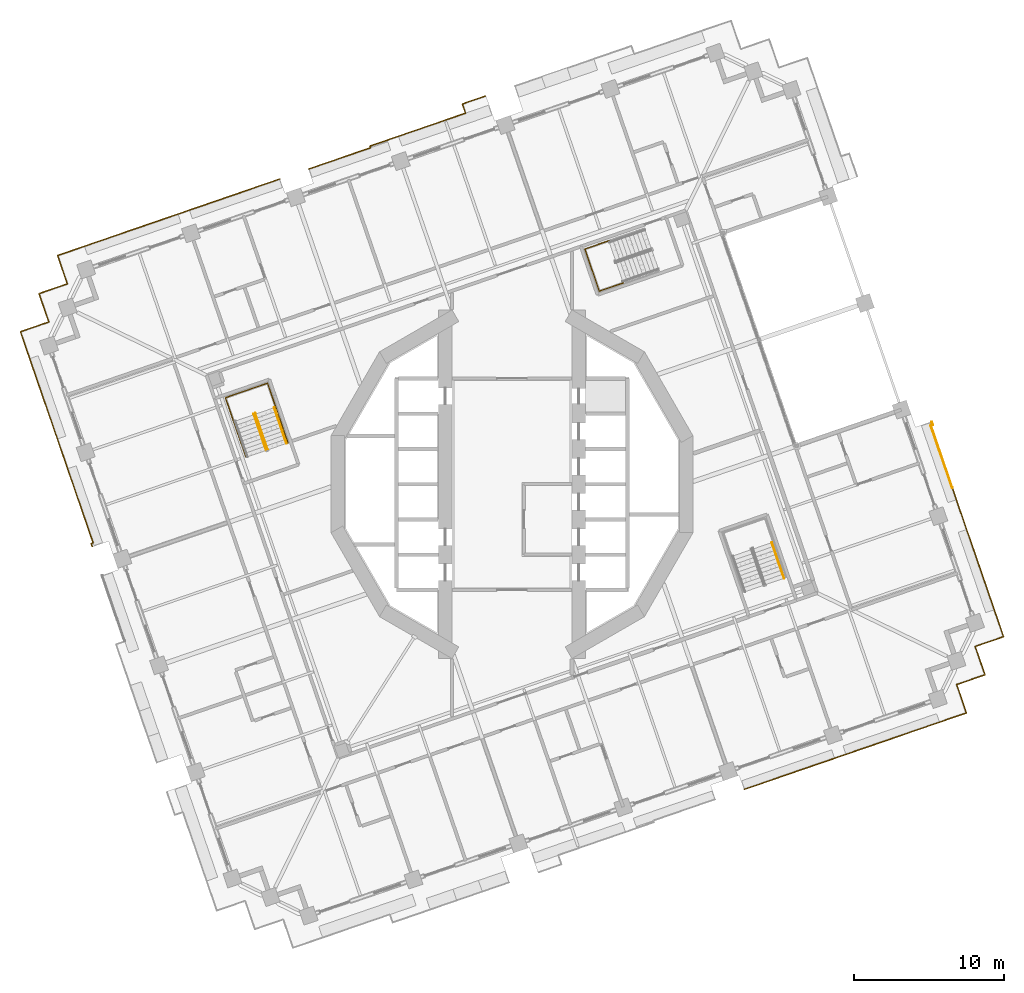
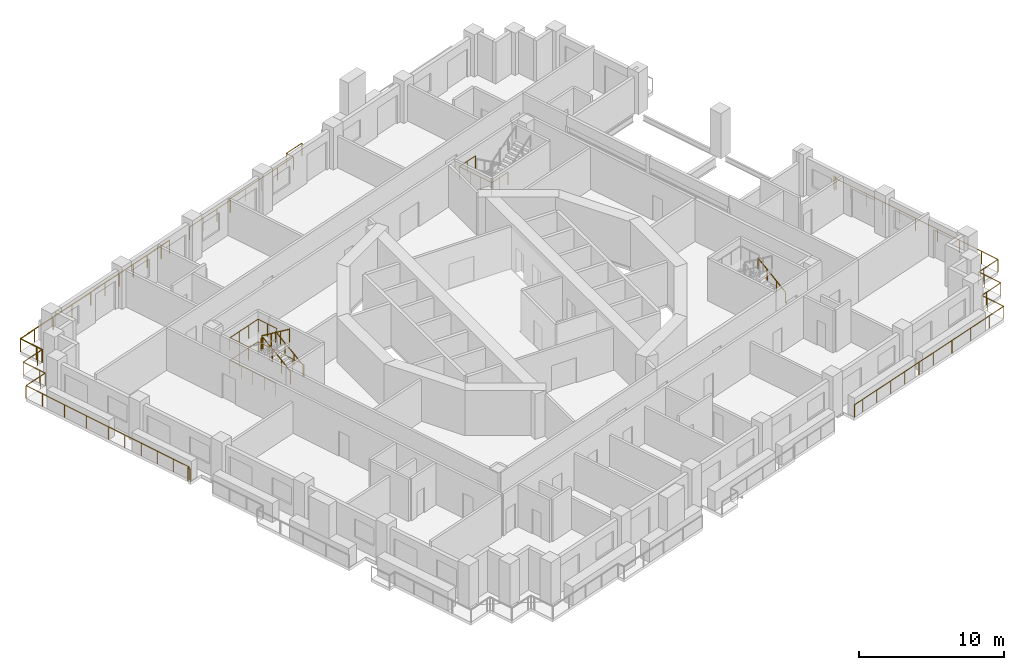
# One storey, part 17 of 19: 12 railings.
"""IFC4 building model written with IfcOpenShell, lengths in metres."""

import ifcopenshell
import ifcopenshell.guid

model = None  # the IFC model being written
_history = None  # IfcOwnerHistory: only IFC2X3 demands one
_inside = {}  # id of a spatial element -> (the spatial element, [elements in it])
_under = {}  # id of a project, library or spatial element -> (it, [spatial elements below it])
_declared = {}  # id of a project -> (the project, [libraries it declares])
_typed = {}  # id of a type object -> (the type object, [elements of that type])
_made_of = {}  # id of a material, layer set ... -> (it, [elements and type objects made of it])


def new_model(schema):
    """Start an empty IFC model of exactly this schema.

    Asked for "IFC4X3", IfcOpenShell would pick the latest addendum, in which some entities
    have other attributes; the version numbers below select the first issue.
    IFC2X3 requires an IfcOwnerHistory on every rooted entity: one is made here for all.
    """
    global model, _history
    if schema == "IFC4X3":
        model = ifcopenshell.file(schema_version=(4, 3, 0, 0))
    else:
        model = ifcopenshell.file(schema=schema)
    _inside.clear()
    _under.clear()
    _declared.clear()
    _typed.clear()
    _made_of.clear()
    _history = None
    if model.schema == "IFC2X3":
        org = make("IfcOrganization", Name="unknown")
        user = make(
            "IfcPersonAndOrganization",
            ThePerson=make("IfcPerson", FamilyName="unknown"),
            TheOrganization=org,
        )
        app = make(
            "IfcApplication",
            ApplicationDeveloper=org,
            Version="unknown",
            ApplicationFullName="unknown",
            ApplicationIdentifier="unknown",
        )
        _history = make(
            "IfcOwnerHistory",
            OwningUser=user,
            OwningApplication=app,
            ChangeAction="ADDED",
            CreationDate=0,
        )
    return model


def make(cls, **values):
    """One entity of the class cls with the attributes given. An attribute that is None is left unset."""
    return model.create_entity(
        cls, **{name: value for name, value in values.items() if value is not None}
    )


def rooted(cls, **values):
    """An entity with a GlobalId (a new one), such as an element, a storey or a relation."""
    return make(cls, GlobalId=ifcopenshell.guid.new(), OwnerHistory=_history, **values)


def si_unit(unit_type, name, prefix=None):
    """IfcSIUnit, for example si_unit("LENGTHUNIT", "METRE", prefix="MILLI")."""
    return make("IfcSIUnit", UnitType=unit_type, Prefix=prefix, Name=name)


def assignment(units):
    """IfcUnitAssignment: the units of a project."""
    return None if units is None else make("IfcUnitAssignment", Units=units)


def point(xyz):
    """IfcCartesianPoint."""
    return None if xyz is None else make("IfcCartesianPoint", Coordinates=xyz)


def direction(xyz):
    """IfcDirection."""
    return None if xyz is None else make("IfcDirection", DirectionRatios=xyz)


def frame(location, z_axis=None, x_axis=None):
    """IfcAxis2Placement3D, a coordinate frame: its origin and axes. An axis left out is left unset."""
    return make(
        "IfcAxis2Placement3D",
        Location=point(location),
        Axis=direction(z_axis),
        RefDirection=direction(x_axis),
    )


def frame_2d(location, x_axis=None):
    """IfcAxis2Placement2D, a coordinate frame in the plane: its origin and x axis."""
    return make(
        "IfcAxis2Placement2D", Location=point(location), RefDirection=direction(x_axis)
    )


def origin():
    """The frame at (0, 0, 0) with its axes left unset."""
    return frame((0.0, 0.0, 0.0))


def origin_2d():
    """The frame at (0, 0) in the plane with its x axis left unset."""
    return frame_2d((0.0, 0.0))


def place(relative_to, where):
    """IfcLocalPlacement: puts the frame where relative to a parent placement (None: the world)."""
    return make(
        "IfcLocalPlacement", PlacementRelTo=relative_to, RelativePlacement=where
    )


def context(
    kind, dimensions, precision=None, world=None, true_north=None, identifier=None
):
    """IfcGeometricRepresentationContext, for example the 3D "Model" context."""
    return make(
        "IfcGeometricRepresentationContext",
        ContextIdentifier=identifier,
        ContextType=kind,
        CoordinateSpaceDimension=dimensions,
        Precision=precision,
        WorldCoordinateSystem=world,
        TrueNorth=true_north,
    )


def subcontext(parent, identifier, kind, view, scale=None):
    """IfcGeometricRepresentationSubContext, for example "Body" below "Model"."""
    return make(
        "IfcGeometricRepresentationSubContext",
        ContextIdentifier=identifier,
        ContextType=kind,
        ParentContext=parent,
        TargetScale=scale,
        TargetView=view,
    )


def project(units=None, contexts=None):
    """IfcProject with its units and contexts."""
    return rooted(
        "IfcProject",
        Name="project",
        RepresentationContexts=contexts,
        UnitsInContext=assignment(units),
    )


def spatial(cls, under=None, at=None, **own):
    """A site, building, storey or space (cls), placed at a placement, below another one or the project."""
    s = rooted(cls, ObjectPlacement=at, **own)
    if under is not None:
        _under.setdefault(under.id(), (under, []))[1].append(s)
    return s


def profile(cls, at=None, kind="AREA", **sizes):
    """A parametric profile (cls). Its sizes go by their IFC names, for example OverallWidth=200.0."""
    return make(cls, ProfileType=kind, Position=at, **sizes)


def circle(**sizes):
    """IfcCircleProfileDef."""
    return profile("IfcCircleProfileDef", **sizes)


def extrude(swept, where, along, depth):
    """IfcExtrudedAreaSolid: the profile swept, set in the frame where, extruded along a direction by depth."""
    return make(
        "IfcExtrudedAreaSolid",
        SweptArea=swept,
        Position=where,
        ExtrudedDirection=direction(along),
        Depth=depth,
    )


def shape(context_of_items, identifier, shape_type, items):
    """IfcShapeRepresentation: the items that make up one representation, for example the "Body"."""
    return make(
        "IfcShapeRepresentation",
        ContextOfItems=context_of_items,
        RepresentationIdentifier=identifier,
        RepresentationType=shape_type,
        Items=items,
    )


def material(Name=None, Category=None):
    """IfcMaterial."""
    return make("IfcMaterial", Name=Name, Category=Category)


def made_of(thing, what):
    """Note that an element or type object is made of a material, layer set ...; save() writes the relation."""
    if what is not None:
        _made_of.setdefault(what.id(), (what, []))[1].append(thing)
    return thing


def type_object(cls, material=None, **own):
    """A type object (cls), such as IfcWallType, which elements share."""
    return made_of(rooted(cls, **own), material)


def element(
    cls,
    number,
    at=None,
    inside=None,
    cuts=None,
    type_object=None,
    material=None,
    context=None,
    identifier="Body",
    shape_type=None,
    held_by="IfcProductDefinitionShape",
    body=None,
    shapes=None,
    **own,
):
    """One element of the class cls, such as IfcWall. Its Tag is "e" and its number.

    at: its placement. inside: the storey or other place that contains it. cuts: it is an
    opening in that element (IfcRelVoidsElement). A single representation is given by context,
    identifier, shape_type and body (its items); several are given by shapes. held_by: the class
    of the entity that holds the representations. save() writes the other relations.
    """
    e = rooted(cls, Tag="e%d" % number, ObjectPlacement=at, **own)
    if body is not None:
        shapes = [shape(context, identifier, shape_type, body)]
    if shapes is not None:
        e.Representation = make(held_by, Representations=shapes)
    if inside is not None:
        _inside.setdefault(inside.id(), (inside, []))[1].append(e)
    if cuts is not None:
        rooted(
            "IfcRelVoidsElement", RelatingBuildingElement=cuts, RelatedOpeningElement=e
        )
    if type_object is not None:
        _typed.setdefault(type_object.id(), (type_object, []))[1].append(e)
    return made_of(e, material)


def aggregate(whole, parts):
    """IfcRelAggregates: a whole, such as a stair, and the parts it consists of."""
    return rooted("IfcRelAggregates", RelatingObject=whole, RelatedObjects=parts)


def save(model, path):
    """Write the relations noted so far, then the file.

    IfcRelAggregates (storeys below a building ...), IfcRelContainedInSpatialStructure (elements
    in a storey), IfcRelDefinesByType, IfcRelAssociatesMaterial and IfcRelDeclares: one each for
    every whole, place, type object, material and project.
    """
    for whole, parts in _under.values():
        aggregate(whole, parts)
    for where, things in _inside.values():
        rooted(
            "IfcRelContainedInSpatialStructure",
            RelatedElements=things,
            RelatingStructure=where,
        )
    for kind, things in _typed.values():
        rooted("IfcRelDefinesByType", RelatedObjects=things, RelatingType=kind)
    for what, things in _made_of.values():
        rooted("IfcRelAssociatesMaterial", RelatedObjects=things, RelatingMaterial=what)
    for by, libraries in _declared.values():
        rooted("IfcRelDeclares", RelatingContext=by, RelatedDefinitions=libraries)
    model.write(path)


model = new_model("IFC4")

# Units and contexts
model_context = context("Model", 3, precision=1e-05, world=origin(), true_north=direction((0.0, 1.0)))
body_context = subcontext(model_context, "Body", "Model", "MODEL_VIEW")
ifc_project = project(units=[si_unit("LENGTHUNIT", "METRE"), si_unit("AREAUNIT", "SQUARE_METRE"), si_unit("VOLUMEUNIT", "CUBIC_METRE"), si_unit("PLANEANGLEUNIT", "RADIAN"), si_unit("MASSUNIT", "GRAM", prefix="KILO")], contexts=[model_context])

# Site, building, storey
site_placement = place(None, origin())
site = spatial("IfcSite", under=ifc_project, at=site_placement, CompositionType="ELEMENT")
building_placement = place(site_placement, origin())
building = spatial("IfcBuilding", under=site, at=building_placement, Name="Cantera Rosa Tower", CompositionType="ELEMENT")
storey_placement = place(building_placement, frame((0.0, 0.0, 126.89990234375)))
storey = spatial("IfcBuildingStorey", under=building, at=storey_placement, Name="L26", CompositionType="ELEMENT", Elevation=126.89990234375)

# Railings
ifc_material_1 = material(Name="Stainless steel and laminated glass", Category="steel")
railing_type_1 = type_object("IfcRailingType", Name="GUARD 1100", PredefinedType="BALUSTRADE", material=ifc_material_1)
railing_1_placement = place(storey_placement, frame((-29.6689453125, 13.369140625, 0.0)))
element("IfcRailing", 1, at=railing_1_placement, inside=storey, type_object=railing_type_1, Name="GUARD L26-5", PredefinedType="BALUSTRADE", context=body_context, shape_type="SweptSolid", body=[
    extrude(circle(Radius=0.030029296875, at=origin_2d()), frame((0.0, 0.0, 1.070068359375), z_axis=(-0.32573481536, 0.945461173218, 0.0), x_axis=(-0.945461173218, -0.32573481536, 0.0)), (0.0, 0.0, 1.0), 0.5),
    extrude(circle(Radius=0.030029296875, at=origin_2d()), frame((-0.162841796875, 0.47265625, 1.070068359375), z_axis=(-0.325489086777, 0.945545797087, 0.0), x_axis=(-0.945545797087, -0.325489086777, 0.0)), (0.0, 0.0, 1.0), 1.500244140625),
    extrude(circle(Radius=0.030029296875, at=origin_2d()), frame((-0.651123046875, 1.89111328125, 1.070068359375), z_axis=(0.945528551438, 0.325539181077, 0.0), x_axis=(-0.325539181077, 0.945528551438, 0.0)), (0.0, 0.0, 1.0), 1.5),
    extrude(circle(Radius=0.030029296875, at=origin_2d()), frame((0.76708984375, 2.37939453125, 1.070068359375), z_axis=(0.945517123015, 0.325572373037, 0.0), x_axis=(-0.325572373037, 0.945517123015, 0.0)), (0.0, 0.0, 1.0), 5.900146484375),
    extrude(circle(Radius=0.030029296875, at=origin_2d()), frame((6.345703125, 4.30029296875, 1.070068359375), z_axis=(0.945528551438, 0.325539181077, 0.0), x_axis=(-0.325539181077, 0.945528551438, 0.0)), (0.0, 0.0, 1.0), 2.999755859375),
    extrude(circle(Radius=0.030029296875, at=origin_2d()), frame((9.18212890625, 5.27685546875, 1.070068359375), z_axis=(0.945513227049, 0.325583687361, 0.0), x_axis=(-0.325583687361, 0.945513227049, 0.0)), (0.0, 0.0, 1.0), 4.400146484375),
    extrude(circle(Radius=0.030029296875, at=origin_2d()), frame((13.342529296875, 6.70947265625, 1.070068359375), z_axis=(0.945522007901, 0.325558186158, 0.0), x_axis=(-0.325558186158, 0.945522007901, 0.0)), (0.0, 0.0, 1.0), 0.869873046875),
    extrude(circle(Radius=0.02490234375, at=origin_2d()), origin(), (0.0, 0.0, 1.0), 1.0400390625),
    extrude(circle(Radius=0.02490234375, at=origin_2d()), frame((-0.162841796875, 0.47265625, 0.0)), (0.0, 0.0, 1.0), 1.0400390625),
    extrude(circle(Radius=0.02490234375, at=origin_2d()), frame((-0.651123046875, 1.89111328125, 0.0)), (0.0, 0.0, 1.0), 1.0400390625),
    extrude(circle(Radius=0.02490234375, at=origin_2d()), frame((0.76708984375, 2.37939453125, 0.0)), (0.0, 0.0, 1.0), 1.0400390625),
    extrude(circle(Radius=0.02490234375, at=origin_2d()), frame((2.626708984375, 3.019775390625, 0.0)), (0.0, 0.0, 1.0), 1.0400390625),
    extrude(circle(Radius=0.02490234375, at=origin_2d()), frame((4.486083984375, 3.659912109375, 0.0)), (0.0, 0.0, 1.0), 1.0400390625),
    extrude(circle(Radius=0.02490234375, at=origin_2d()), frame((6.345703125, 4.30029296875, 0.0)), (0.0, 0.0, 1.0), 1.0400390625),
    extrude(circle(Radius=0.02490234375, at=origin_2d()), frame((7.763916015625, 4.78857421875, 0.0)), (0.0, 0.0, 1.0), 1.0400390625),
    extrude(circle(Radius=0.02490234375, at=origin_2d()), frame((9.18212890625, 5.27685546875, 0.0)), (0.0, 0.0, 1.0), 1.0400390625),
    extrude(circle(Radius=0.02490234375, at=origin_2d()), frame((10.56884765625, 5.75439453125, 0.0)), (0.0, 0.0, 1.0), 1.0400390625),
    extrude(circle(Radius=0.02490234375, at=origin_2d()), frame((11.955810546875, 6.23193359375, 0.0)), (0.0, 0.0, 1.0), 1.0400390625),
    extrude(circle(Radius=0.02490234375, at=origin_2d()), frame((13.342529296875, 6.70947265625, 0.0)), (0.0, 0.0, 1.0), 1.0400390625),
    extrude(circle(Radius=0.02490234375, at=origin_2d()), frame((14.1650390625, 6.99267578125, 0.0)), (0.0, 0.0, 1.0), 1.0400390625),
])
railing_2_placement = place(storey_placement, frame((-28.011474609375, -4.156005859375, 0.0)))
element("IfcRailing", 2, at=railing_2_placement, inside=storey, type_object=railing_type_1, Name="GUARD L26-6", PredefinedType="BALUSTRADE", context=body_context, shape_type="SweptSolid", body=[
    extrude(circle(Radius=0.030029296875, at=origin_2d()), frame((0.0, 0.0, 1.070068359375), z_axis=(-0.325701817188, 0.945472541262, 0.0), x_axis=(-0.945472541262, -0.325701817188, 0.0)), (0.0, 0.0, 1.0), 0.20849609375),
    extrude(circle(Radius=0.030029296875, at=origin_2d()), frame((-0.06787109375, 0.197021484375, 1.070068359375), z_axis=(0.945279234775, 0.32626242245, 0.0), x_axis=(-0.32626242245, 0.945279234775, 0.0)), (0.0, 0.0, 1.0), 0.138427734375),
    extrude(circle(Radius=0.030029296875, at=origin_2d()), frame((0.06298828125, 0.2421875, 1.070068359375), z_axis=(-0.325573371497, 0.945516779212, 0.0), x_axis=(-0.945516779212, -0.325573371497, 0.0)), (0.0, 0.0, 1.0), 4.381591796875),
    extrude(circle(Radius=0.030029296875, at=origin_2d()), frame((-1.363525390625, 4.385009765625, 1.070068359375), z_axis=(-0.325539181077, 0.945528551438, 0.0), x_axis=(-0.945528551438, -0.325539181077, 0.0)), (0.0, 0.0, 1.0), 2.999755859375),
    extrude(circle(Radius=0.030029296875, at=origin_2d()), frame((-2.340087890625, 7.221435546875, 1.070068359375), z_axis=(-0.325568215952, 0.945518554425, 0.0), x_axis=(-0.945518554425, -0.325568215952, 0.0)), (0.0, 0.0, 1.0), 6.02001953125),
    extrude(circle(Radius=0.030029296875, at=origin_2d()), frame((-4.300048828125, 12.91357421875, 1.070068359375), z_axis=(-0.325539181077, 0.945528551438, 0.0), x_axis=(-0.945528551438, -0.325539181077, 0.0)), (0.0, 0.0, 1.0), 1.5),
    extrude(circle(Radius=0.030029296875, at=origin_2d()), frame((-4.788330078125, 14.331787109375, 1.070068359375), z_axis=(0.945528551438, 0.325539181077, 0.0), x_axis=(-0.325539181077, 0.945528551438, 0.0)), (0.0, 0.0, 1.0), 1.5),
    extrude(circle(Radius=0.030029296875, at=origin_2d()), frame((-3.3701171875, 14.820068359375, 1.070068359375), z_axis=(0.945461173218, 0.32573481536, 0.0), x_axis=(-0.32573481536, 0.945461173218, 0.0)), (0.0, 0.0, 1.0), 0.5),
    extrude(circle(Radius=0.030029296875, at=origin_2d()), frame((-2.8974609375, 14.98291015625, 1.070068359375), z_axis=(-0.325147989177, 0.945663145699, 0.0), x_axis=(-0.945663145699, -0.325147989177, 0.0)), (0.0, 0.0, 1.0), 0.5),
    extrude(circle(Radius=0.030029296875, at=origin_2d()), frame((-3.06005859375, 15.455810546875, 1.070068359375), z_axis=(-0.325684689469, 0.945478441343, 0.0), x_axis=(-0.945478441343, -0.325684689469, 0.0)), (0.0, 0.0, 1.0), 1.5),
    extrude(circle(Radius=0.030029296875, at=origin_2d()), frame((-3.548583984375, 16.8740234375, 1.070068359375), z_axis=(0.945545797087, 0.325489086777, 0.0), x_axis=(-0.325489086777, 0.945545797087, 0.0)), (0.0, 0.0, 1.0), 1.500244140625),
    extrude(circle(Radius=0.030029296875, at=origin_2d()), frame((-2.130126953125, 17.3623046875, 1.070068359375), z_axis=(0.945461173218, 0.32573481536, 0.0), x_axis=(-0.32573481536, 0.945461173218, 0.0)), (0.0, 0.0, 1.0), 0.5),
    extrude(circle(Radius=0.02490234375, at=origin_2d()), origin(), (0.0, 0.0, 1.0), 1.0400390625),
    extrude(circle(Radius=0.02490234375, at=origin_2d()), frame((-0.06787109375, 0.197021484375, 0.0)), (0.0, 0.0, 1.0), 1.0400390625),
    extrude(circle(Radius=0.02490234375, at=origin_2d()), frame((0.06298828125, 0.2421875, 0.0)), (0.0, 0.0, 1.0), 1.0400390625),
    extrude(circle(Radius=0.02490234375, at=origin_2d()), frame((-0.41259765625, 1.623046875, 0.0)), (0.0, 0.0, 1.0), 1.0400390625),
    extrude(circle(Radius=0.02490234375, at=origin_2d()), frame((-0.887939453125, 3.004150390625, 0.0)), (0.0, 0.0, 1.0), 1.0400390625),
    extrude(circle(Radius=0.02490234375, at=origin_2d()), frame((-1.363525390625, 4.385009765625, 0.0)), (0.0, 0.0, 1.0), 1.0400390625),
    extrude(circle(Radius=0.02490234375, at=origin_2d()), frame((-1.851806640625, 5.80322265625, 0.0)), (0.0, 0.0, 1.0), 1.0400390625),
    extrude(circle(Radius=0.02490234375, at=origin_2d()), frame((-2.340087890625, 7.221435546875, 0.0)), (0.0, 0.0, 1.0), 1.0400390625),
    extrude(circle(Radius=0.02490234375, at=origin_2d()), frame((-2.993408203125, 9.118896484375, 0.0)), (0.0, 0.0, 1.0), 1.0400390625),
    extrude(circle(Radius=0.02490234375, at=origin_2d()), frame((-3.646728515625, 11.01611328125, 0.0)), (0.0, 0.0, 1.0), 1.0400390625),
    extrude(circle(Radius=0.02490234375, at=origin_2d()), frame((-4.300048828125, 12.91357421875, 0.0)), (0.0, 0.0, 1.0), 1.0400390625),
    extrude(circle(Radius=0.02490234375, at=origin_2d()), frame((-4.788330078125, 14.331787109375, 0.0)), (0.0, 0.0, 1.0), 1.0400390625),
    extrude(circle(Radius=0.02490234375, at=origin_2d()), frame((-3.3701171875, 14.820068359375, 0.0)), (0.0, 0.0, 1.0), 1.0400390625),
    extrude(circle(Radius=0.02490234375, at=origin_2d()), frame((-2.8974609375, 14.98291015625, 0.0)), (0.0, 0.0, 1.0), 1.0400390625),
    extrude(circle(Radius=0.02490234375, at=origin_2d()), frame((-3.06005859375, 15.455810546875, 0.0)), (0.0, 0.0, 1.0), 1.0400390625),
    extrude(circle(Radius=0.02490234375, at=origin_2d()), frame((-3.548583984375, 16.8740234375, 0.0)), (0.0, 0.0, 1.0), 1.0400390625),
    extrude(circle(Radius=0.02490234375, at=origin_2d()), frame((-2.130126953125, 17.3623046875, 0.0)), (0.0, 0.0, 1.0), 1.0400390625),
    extrude(circle(Radius=0.02490234375, at=origin_2d()), frame((-1.657470703125, 17.525146484375, 0.0)), (0.0, 0.0, 1.0), 1.0400390625),
])
railing_3_placement = place(storey_placement, frame((-13.55615234375, 21.032470703125, 0.0)))
element("IfcRailing", 3, at=railing_3_placement, inside=storey, type_object=railing_type_1, Name="GUARD L26-7", PredefinedType="BALUSTRADE", context=body_context, shape_type="SweptSolid", body=[
    extrude(circle(Radius=0.030029296875, at=origin_2d()), frame((0.0, 0.0, 1.070068359375), z_axis=(0.946220044844, 0.323523765333, 0.0), x_axis=(-0.323523765333, 0.946220044844, 0.0)), (0.0, 0.0, 1.0), 0.070068359375),
    extrude(circle(Radius=0.030029296875, at=origin_2d()), frame((0.06640625, 0.022705078125, 1.070068359375), z_axis=(0.945512264962, 0.325586481301, 0.0), x_axis=(-0.325586481301, 0.945512264962, 0.0)), (0.0, 0.0, 1.0), 4.28173828125),
    extrude(circle(Radius=0.030029296875, at=origin_2d()), frame((4.11474609375, 1.416748046875, 1.070068359375), z_axis=(-0.326117900523, 0.945329104047, 0.0), x_axis=(-0.945329104047, -0.326117900523, 0.0)), (0.0, 0.0, 1.0), 0.1181640625),
    extrude(circle(Radius=0.030029296875, at=origin_2d()), frame((4.076171875, 1.528564453125, 1.070068359375), z_axis=(0.945519334272, 0.325565951103, 0.0), x_axis=(-0.325565951103, 0.945519334272, 0.0)), (0.0, 0.0, 1.0), 6.749755859375),
    extrude(circle(Radius=0.030029296875, at=origin_2d()), frame((10.458251953125, 3.72607421875, 1.070068359375), z_axis=(-0.32578247151, 0.945444753149, 0.0), x_axis=(-0.945444753149, -0.32578247151, 0.0)), (0.0, 0.0, 1.0), 0.650390625),
    extrude(circle(Radius=0.030029296875, at=origin_2d()), frame((10.246337890625, 4.341064453125, 1.070068359375), z_axis=(0.945523301181, 0.325554430047, 0.0), x_axis=(-0.325554430047, 0.945523301181, 0.0)), (0.0, 0.0, 1.0), 1.638671875),
    extrude(circle(Radius=0.02490234375, at=origin_2d()), origin(), (0.0, 0.0, 1.0), 1.0400390625),
    extrude(circle(Radius=0.02490234375, at=origin_2d()), frame((0.06640625, 0.022705078125, 0.0)), (0.0, 0.0, 1.0), 1.0400390625),
    extrude(circle(Radius=0.02490234375, at=origin_2d()), frame((1.415771484375, 0.4873046875, 0.0)), (0.0, 0.0, 1.0), 1.0400390625),
    extrude(circle(Radius=0.02490234375, at=origin_2d()), frame((2.765380859375, 0.9521484375, 0.0)), (0.0, 0.0, 1.0), 1.0400390625),
    extrude(circle(Radius=0.02490234375, at=origin_2d()), frame((4.11474609375, 1.416748046875, 0.0)), (0.0, 0.0, 1.0), 1.0400390625),
    extrude(circle(Radius=0.02490234375, at=origin_2d()), frame((4.076171875, 1.528564453125, 0.0)), (0.0, 0.0, 1.0), 1.0400390625),
    extrude(circle(Radius=0.02490234375, at=origin_2d()), frame((5.671630859375, 2.077880859375, 0.0)), (0.0, 0.0, 1.0), 1.0400390625),
    extrude(circle(Radius=0.02490234375, at=origin_2d()), frame((7.26708984375, 2.62744140625, 0.0)), (0.0, 0.0, 1.0), 1.0400390625),
    extrude(circle(Radius=0.02490234375, at=origin_2d()), frame((8.86279296875, 3.1767578125, 0.0)), (0.0, 0.0, 1.0), 1.0400390625),
    extrude(circle(Radius=0.02490234375, at=origin_2d()), frame((10.458251953125, 3.72607421875, 0.0)), (0.0, 0.0, 1.0), 1.0400390625),
    extrude(circle(Radius=0.02490234375, at=origin_2d()), frame((10.246337890625, 4.341064453125, 0.0)), (0.0, 0.0, 1.0), 1.0400390625),
    extrude(circle(Radius=0.02490234375, at=origin_2d()), frame((11.795654296875, 4.87451171875, 0.0)), (0.0, 0.0, 1.0), 1.0400390625),
])
railing_4_placement = place(storey_placement, frame((29.375, -0.22900390625, 0.0)))
element("IfcRailing", 4, at=railing_4_placement, inside=storey, type_object=railing_type_1, Name="GUARD L26-9", PredefinedType="BALUSTRADE", context=body_context, shape_type="SweptSolid", body=[
    extrude(circle(Radius=0.030029296875, at=origin_2d()), frame((0.0, 0.0, 1.070068359375), z_axis=(0.325539181077, -0.945528551438, 0.0), x_axis=(0.945528551438, 0.325539181077, 0.0)), (0.0, 0.0, 1.0), 2.999755859375),
    extrude(circle(Radius=0.030029296875, at=origin_2d()), frame((0.9765625, -2.83642578125, 1.070068359375), z_axis=(0.325568215952, -0.945518554425, 0.0), x_axis=(0.945518554425, 0.325568215952, 0.0)), (0.0, 0.0, 1.0), 6.02001953125),
    extrude(circle(Radius=0.030029296875, at=origin_2d()), frame((2.9365234375, -8.528564453125, 1.070068359375), z_axis=(0.325539181077, -0.945528551438, 0.0), x_axis=(0.945528551438, 0.325539181077, 0.0)), (0.0, 0.0, 1.0), 1.5),
    extrude(circle(Radius=0.030029296875, at=origin_2d()), frame((3.4248046875, -9.94677734375, 1.070068359375), z_axis=(-0.945528551438, -0.325539181077, 0.0), x_axis=(0.325539181077, -0.945528551438, 0.0)), (0.0, 0.0, 1.0), 1.5),
    extrude(circle(Radius=0.030029296875, at=origin_2d()), frame((2.006591796875, -10.43505859375, 1.070068359375), z_axis=(-0.945461173218, -0.32573481536, 0.0), x_axis=(0.32573481536, -0.945461173218, 0.0)), (0.0, 0.0, 1.0), 0.5),
    extrude(circle(Radius=0.030029296875, at=origin_2d()), frame((1.533935546875, -10.597900390625, 1.070068359375), z_axis=(0.325147989177, -0.945663145699, 0.0), x_axis=(0.945663145699, 0.325147989177, 0.0)), (0.0, 0.0, 1.0), 0.5),
    extrude(circle(Radius=0.030029296875, at=origin_2d()), frame((1.696533203125, -11.07080078125, 1.070068359375), z_axis=(0.325684689469, -0.945478441343, 0.0), x_axis=(0.945478441343, 0.325684689469, 0.0)), (0.0, 0.0, 1.0), 1.5),
    extrude(circle(Radius=0.030029296875, at=origin_2d()), frame((2.18505859375, -12.489013671875, 1.070068359375), z_axis=(-0.945545797087, -0.325489086777, 0.0), x_axis=(0.325489086777, -0.945545797087, 0.0)), (0.0, 0.0, 1.0), 1.500244140625),
    extrude(circle(Radius=0.030029296875, at=origin_2d()), frame((0.7666015625, -12.977294921875, 1.070068359375), z_axis=(-0.945461173218, -0.32573481536, 0.0), x_axis=(0.32573481536, -0.945461173218, 0.0)), (0.0, 0.0, 1.0), 0.5),
    extrude(circle(Radius=0.030029296875, at=origin_2d()), frame((0.2939453125, -13.14013671875, 1.070068359375), z_axis=(0.32573481536, -0.945461173218, 0.0), x_axis=(0.945461173218, 0.32573481536, 0.0)), (0.0, 0.0, 1.0), 0.5),
    extrude(circle(Radius=0.030029296875, at=origin_2d()), frame((0.456787109375, -13.61279296875, 1.070068359375), z_axis=(0.325489086777, -0.945545797087, 0.0), x_axis=(0.945545797087, 0.325489086777, 0.0)), (0.0, 0.0, 1.0), 1.500244140625),
    extrude(circle(Radius=0.030029296875, at=origin_2d()), frame((0.945068359375, -15.03125, 1.070068359375), z_axis=(-0.945528551438, -0.325539181077, 0.0), x_axis=(0.325539181077, -0.945528551438, 0.0)), (0.0, 0.0, 1.0), 1.5),
    extrude(circle(Radius=0.030029296875, at=origin_2d()), frame((-0.47314453125, -15.51953125, 1.070068359375), z_axis=(-0.945517123015, -0.325572373037, 0.0), x_axis=(0.325572373037, -0.945517123015, 0.0)), (0.0, 0.0, 1.0), 5.900146484375),
    extrude(circle(Radius=0.030029296875, at=origin_2d()), frame((-6.0517578125, -17.4404296875, 1.070068359375), z_axis=(-0.945528551438, -0.325539181077, 0.0), x_axis=(0.325539181077, -0.945528551438, 0.0)), (0.0, 0.0, 1.0), 2.999755859375),
    extrude(circle(Radius=0.030029296875, at=origin_2d()), frame((-8.88818359375, -18.4169921875, 1.070068359375), z_axis=(-0.945513227049, -0.325583687361, 0.0), x_axis=(0.325583687361, -0.945513227049, 0.0)), (0.0, 0.0, 1.0), 4.400146484375),
    extrude(circle(Radius=0.030029296875, at=origin_2d()), frame((-13.048583984375, -19.849609375, 1.070068359375), z_axis=(-0.945522007901, -0.325558186158, 0.0), x_axis=(0.325558186158, -0.945522007901, 0.0)), (0.0, 0.0, 1.0), 0.869873046875),
    extrude(circle(Radius=0.02490234375, at=origin_2d()), origin(), (0.0, 0.0, 1.0), 1.0400390625),
    extrude(circle(Radius=0.02490234375, at=origin_2d()), frame((0.48828125, -1.418212890625, 0.0)), (0.0, 0.0, 1.0), 1.0400390625),
    extrude(circle(Radius=0.02490234375, at=origin_2d()), frame((0.9765625, -2.83642578125, 0.0)), (0.0, 0.0, 1.0), 1.0400390625),
    extrude(circle(Radius=0.02490234375, at=origin_2d()), frame((1.6298828125, -4.73388671875, 0.0)), (0.0, 0.0, 1.0), 1.0400390625),
    extrude(circle(Radius=0.02490234375, at=origin_2d()), frame((2.283203125, -6.631103515625, 0.0)), (0.0, 0.0, 1.0), 1.0400390625),
    extrude(circle(Radius=0.02490234375, at=origin_2d()), frame((2.9365234375, -8.528564453125, 0.0)), (0.0, 0.0, 1.0), 1.0400390625),
    extrude(circle(Radius=0.02490234375, at=origin_2d()), frame((3.4248046875, -9.94677734375, 0.0)), (0.0, 0.0, 1.0), 1.0400390625),
    extrude(circle(Radius=0.02490234375, at=origin_2d()), frame((2.006591796875, -10.43505859375, 0.0)), (0.0, 0.0, 1.0), 1.0400390625),
    extrude(circle(Radius=0.02490234375, at=origin_2d()), frame((1.533935546875, -10.597900390625, 0.0)), (0.0, 0.0, 1.0), 1.0400390625),
    extrude(circle(Radius=0.02490234375, at=origin_2d()), frame((1.696533203125, -11.07080078125, 0.0)), (0.0, 0.0, 1.0), 1.0400390625),
    extrude(circle(Radius=0.02490234375, at=origin_2d()), frame((2.18505859375, -12.489013671875, 0.0)), (0.0, 0.0, 1.0), 1.0400390625),
    extrude(circle(Radius=0.02490234375, at=origin_2d()), frame((0.7666015625, -12.977294921875, 0.0)), (0.0, 0.0, 1.0), 1.0400390625),
    extrude(circle(Radius=0.02490234375, at=origin_2d()), frame((0.2939453125, -13.14013671875, 0.0)), (0.0, 0.0, 1.0), 1.0400390625),
    extrude(circle(Radius=0.02490234375, at=origin_2d()), frame((0.456787109375, -13.61279296875, 0.0)), (0.0, 0.0, 1.0), 1.0400390625),
    extrude(circle(Radius=0.02490234375, at=origin_2d()), frame((0.945068359375, -15.03125, 0.0)), (0.0, 0.0, 1.0), 1.0400390625),
    extrude(circle(Radius=0.02490234375, at=origin_2d()), frame((-0.47314453125, -15.51953125, 0.0)), (0.0, 0.0, 1.0), 1.0400390625),
    extrude(circle(Radius=0.02490234375, at=origin_2d()), frame((-2.332763671875, -16.159912109375, 0.0)), (0.0, 0.0, 1.0), 1.0400390625),
    extrude(circle(Radius=0.02490234375, at=origin_2d()), frame((-4.192138671875, -16.800048828125, 0.0)), (0.0, 0.0, 1.0), 1.0400390625),
    extrude(circle(Radius=0.02490234375, at=origin_2d()), frame((-6.0517578125, -17.4404296875, 0.0)), (0.0, 0.0, 1.0), 1.0400390625),
    extrude(circle(Radius=0.02490234375, at=origin_2d()), frame((-7.469970703125, -17.9287109375, 0.0)), (0.0, 0.0, 1.0), 1.0400390625),
    extrude(circle(Radius=0.02490234375, at=origin_2d()), frame((-8.88818359375, -18.4169921875, 0.0)), (0.0, 0.0, 1.0), 1.0400390625),
    extrude(circle(Radius=0.02490234375, at=origin_2d()), frame((-10.27490234375, -18.89453125, 0.0)), (0.0, 0.0, 1.0), 1.0400390625),
    extrude(circle(Radius=0.02490234375, at=origin_2d()), frame((-11.661865234375, -19.3720703125, 0.0)), (0.0, 0.0, 1.0), 1.0400390625),
    extrude(circle(Radius=0.02490234375, at=origin_2d()), frame((-13.048583984375, -19.849609375, 0.0)), (0.0, 0.0, 1.0), 1.0400390625),
    extrude(circle(Radius=0.02490234375, at=origin_2d()), frame((-13.87109375, -20.1328125, 0.0)), (0.0, 0.0, 1.0), 1.0400390625),
])
railing_5_placement = place(storey_placement, frame((28.011474609375, 4.156005859375, 0.0)))
element("IfcRailing", 5, at=railing_5_placement, inside=storey, type_object=railing_type_1, Name="GUARD L26-10", PredefinedType="BALUSTRADE", context=body_context, shape_type="SweptSolid", body=[
    extrude(circle(Radius=0.030029296875, at=origin_2d()), frame((0.0, 0.0, 1.070068359375), z_axis=(0.325701817188, -0.945472541262, 0.0), x_axis=(0.945472541262, 0.325701817188, 0.0)), (0.0, 0.0, 1.0), 0.20849609375),
    extrude(circle(Radius=0.030029296875, at=origin_2d()), frame((0.06787109375, -0.197021484375, 1.070068359375), z_axis=(-0.945279234775, -0.32626242245, 0.0), x_axis=(0.32626242245, -0.945279234775, 0.0)), (0.0, 0.0, 1.0), 0.138427734375),
    extrude(circle(Radius=0.030029296875, at=origin_2d()), frame((-0.06298828125, -0.2421875, 1.070068359375), z_axis=(0.325573371497, -0.945516779212, 0.0), x_axis=(0.945516779212, 0.325573371497, 0.0)), (0.0, 0.0, 1.0), 4.381591796875),
    extrude(circle(Radius=0.02490234375, at=origin_2d()), origin(), (0.0, 0.0, 1.0), 1.0400390625),
    extrude(circle(Radius=0.02490234375, at=origin_2d()), frame((0.06787109375, -0.197021484375, 0.0)), (0.0, 0.0, 1.0), 1.0400390625),
    extrude(circle(Radius=0.02490234375, at=origin_2d()), frame((-0.06298828125, -0.2421875, 0.0)), (0.0, 0.0, 1.0), 1.0400390625),
    extrude(circle(Radius=0.02490234375, at=origin_2d()), frame((0.41259765625, -1.623046875, 0.0)), (0.0, 0.0, 1.0), 1.0400390625),
    extrude(circle(Radius=0.02490234375, at=origin_2d()), frame((0.887939453125, -3.004150390625, 0.0)), (0.0, 0.0, 1.0), 1.0400390625),
    extrude(circle(Radius=0.02490234375, at=origin_2d()), frame((1.363525390625, -4.385009765625, 0.0)), (0.0, 0.0, 1.0), 1.0400390625),
])
ifc_material_2 = material(Name="Steel S355J2 (EN 10025-2)", Category="steel")
railing_type_2 = type_object("IfcRailingType", Name="STAIR GUARD 1100", PredefinedType="GUARDRAIL", material=ifc_material_2)
railing_6_placement = place(storey_placement, frame((6.468994140625, 16.243408203125, 1.900146484375)))
element("IfcRailing", 6, at=railing_6_placement, inside=storey, type_object=railing_type_2, Name="L26 ST-21 stair guard 5", PredefinedType="GUARDRAIL", context=body_context, shape_type="SweptSolid", body=[
    extrude(circle(Radius=0.02392578125, at=origin_2d()), frame((0.0, 0.0, 1.076171875), z_axis=(-0.94551008141, -0.32559282233, 0.0), x_axis=(0.32559282233, -0.94551008141, 0.0)), (0.0, 0.0, 1.0), 1.7021484375),
    extrude(circle(Radius=0.02392578125, at=origin_2d()), frame((-1.609375, -0.55419921875, 1.076171875), z_axis=(0.325608117645, -0.945504814226, 0.0), x_axis=(0.945504814226, 0.325608117645, 0.0)), (0.0, 0.0, 1.0), 2.969970703125),
    extrude(circle(Radius=0.02392578125, at=origin_2d()), frame((-0.642333984375, -3.3623046875, 1.076171875), z_axis=(0.945539033546, 0.325508734201, 0.0), x_axis=(-0.325508734201, 0.945539033546, 0.0)), (0.0, 0.0, 1.0), 1.701904296875),
    extrude(circle(Radius=0.02099609375, at=origin_2d()), origin(), (0.0, 0.0, 1.0), 1.052001953125),
    extrude(circle(Radius=0.02099609375, at=origin_2d()), frame((-0.8046875, -0.277099609375, 0.0)), (0.0, 0.0, 1.0), 1.052001953125),
    extrude(circle(Radius=0.02099609375, at=origin_2d()), frame((-1.609375, -0.55419921875, 0.0)), (0.0, 0.0, 1.0), 1.052001953125),
    extrude(circle(Radius=0.02099609375, at=origin_2d()), frame((-1.287109375, -1.490234375, 0.0)), (0.0, 0.0, 1.0), 1.052001953125),
    extrude(circle(Radius=0.02099609375, at=origin_2d()), frame((-0.964599609375, -2.42626953125, 0.0)), (0.0, 0.0, 1.0), 1.052001953125),
    extrude(circle(Radius=0.02099609375, at=origin_2d()), frame((-0.642333984375, -3.3623046875, 0.0)), (0.0, 0.0, 1.0), 1.052001953125),
    extrude(circle(Radius=0.02099609375, at=origin_2d()), frame((0.162109375, -3.08544921875, 0.0)), (0.0, 0.0, 1.0), 1.052001953125),
    extrude(circle(Radius=0.02099609375, at=origin_2d()), frame((0.966796875, -2.808349609375, 0.0)), (0.0, 0.0, 1.0), 1.052001953125),
])
railing_7_placement = place(storey_placement, frame((-16.2978515625, 2.292236328125, 0.190185546875)))
element("IfcRailing", 7, at=railing_7_placement, inside=storey, type_object=railing_type_2, Name="L26 ST-22 stair guard 1", PredefinedType="GUARDRAIL", context=body_context, shape_type="SweptSolid", body=[
    extrude(circle(Radius=0.02392578125, at=origin_2d()), frame((0.0, 0.0, 1.076171875), z_axis=(-0.269432418223, 0.782404165978, 0.561471186323), x_axis=(-0.94550776501, -0.325599548996, 0.0)), (0.0, 0.0, 1.0), 3.04541015625),
    extrude(circle(Radius=0.02392578125, at=origin_2d()), frame((-0.820556640625, 2.3828125, 2.7861328125), z_axis=(0.147491890402, 0.989063265047, 0.0), x_axis=(-0.989063265047, 0.147491890402, 0.0)), (0.0, 0.0, 1.0), 0.056396484375),
    extrude(circle(Radius=0.02392578125, at=origin_2d()), frame((-0.812255859375, 2.4384765625, 2.7861328125), z_axis=(-0.945372981626, -0.325990683319, 0.0), x_axis=(0.325990683319, -0.945372981626, 0.0)), (0.0, 0.0, 1.0), 0.14990234375),
    extrude(circle(Radius=0.02099609375, at=origin_2d()), origin(), (0.0, 0.0, 1.0), 1.052001953125),
    extrude(circle(Radius=0.02099609375, at=origin_2d()), frame((-0.2734375, 0.794189453125, 0.570068359375)), (0.0, 0.0, 1.0), 1.052001953125),
    extrude(circle(Radius=0.02099609375, at=origin_2d()), frame((-0.547119140625, 1.588623046875, 1.139892578125)), (0.0, 0.0, 1.0), 1.052001953125),
    extrude(circle(Radius=0.02099609375, at=origin_2d()), frame((-0.820556640625, 2.3828125, 1.7099609375)), (0.0, 0.0, 1.0), 1.052001953125),
    extrude(circle(Radius=0.02099609375, at=origin_2d()), frame((-0.812255859375, 2.4384765625, 1.7099609375)), (0.0, 0.0, 1.0), 1.052001953125),
    extrude(circle(Radius=0.02099609375, at=origin_2d()), frame((-0.953857421875, 2.3896484375, 1.7099609375)), (0.0, 0.0, 1.0), 1.052001953125),
])
railing_8_placement = place(storey_placement, frame((-17.2109375, 4.64306640625, 2.090087890625)))
element("IfcRailing", 8, at=railing_8_placement, inside=storey, type_object=railing_type_2, Name="L26 ST-22 stair guard 2", PredefinedType="GUARDRAIL", context=body_context, shape_type="SweptSolid", body=[
    extrude(circle(Radius=0.02392578125, at=origin_2d()), frame((0.0, 0.0, 1.076171875), z_axis=(0.269358070891, -0.782421063063, 0.561483312059), x_axis=(0.945537585866, 0.325512939397, 0.0)), (0.0, 0.0, 1.0), 3.04541015625),
    extrude(circle(Radius=0.02099609375, at=origin_2d()), origin(), (0.0, 0.0, 1.0), 1.052001953125),
    extrude(circle(Radius=0.02099609375, at=origin_2d()), frame((0.2734375, -0.794189453125, 0.570068359375)), (0.0, 0.0, 1.0), 1.052001953125),
    extrude(circle(Radius=0.02099609375, at=origin_2d()), frame((0.546875, -1.588623046875, 1.139892578125)), (0.0, 0.0, 1.0), 1.052001953125),
    extrude(circle(Radius=0.02099609375, at=origin_2d()), frame((0.8203125, -2.3828125, 1.7099609375)), (0.0, 0.0, 1.0), 1.052001953125),
])
railing_9_placement = place(storey_placement, frame((-14.944091796875, 2.77099609375, 0.0)))
element("IfcRailing", 9, at=railing_9_placement, inside=storey, type_object=railing_type_2, Name="L26 ST-22 stair guard 4", PredefinedType="GUARDRAIL", context=body_context, shape_type="SweptSolid", body=[
    extrude(circle(Radius=0.02392578125, at=origin_2d()), frame((0.0, 0.0, 1.076171875), z_axis=(-0.325546180042, 0.945526141712, 0.0), x_axis=(-0.945526141712, -0.325546180042, 0.0)), (0.0, 0.0, 1.0), 4.1982421875),
    extrude(circle(Radius=0.02392578125, at=origin_2d()), frame((-1.36669921875, 3.969482421875, 1.076171875), z_axis=(-0.945504814226, -0.325608117645, 0.0), x_axis=(0.325608117645, -0.945504814226, 0.0)), (0.0, 0.0, 1.0), 2.969970703125),
    extrude(circle(Radius=0.02392578125, at=origin_2d()), frame((-4.1748046875, 3.00244140625, 1.076171875), z_axis=(0.325564081496, -0.945519978022, 0.0), x_axis=(0.945519978022, 0.325564081496, 0.0)), (0.0, 0.0, 1.0), 4.197998046875),
    extrude(circle(Radius=0.02099609375, at=origin_2d()), origin(), (0.0, 0.0, 1.0), 1.052001953125),
    extrude(circle(Radius=0.02099609375, at=origin_2d()), frame((-0.341796875, 0.992431640625, 0.0)), (0.0, 0.0, 1.0), 1.052001953125),
    extrude(circle(Radius=0.02099609375, at=origin_2d()), frame((-0.683349609375, 1.98486328125, 0.0)), (0.0, 0.0, 1.0), 1.052001953125),
    extrude(circle(Radius=0.02099609375, at=origin_2d()), frame((-1.02490234375, 2.97705078125, 0.0)), (0.0, 0.0, 1.0), 1.052001953125),
    extrude(circle(Radius=0.02099609375, at=origin_2d()), frame((-1.36669921875, 3.969482421875, 0.0)), (0.0, 0.0, 1.0), 1.052001953125),
    extrude(circle(Radius=0.02099609375, at=origin_2d()), frame((-2.302734375, 3.647216796875, 0.0)), (0.0, 0.0, 1.0), 1.052001953125),
    extrude(circle(Radius=0.02099609375, at=origin_2d()), frame((-3.23876953125, 3.32470703125, 0.0)), (0.0, 0.0, 1.0), 1.052001953125),
    extrude(circle(Radius=0.02099609375, at=origin_2d()), frame((-4.1748046875, 3.00244140625, 0.0)), (0.0, 0.0, 1.0), 1.052001953125),
    extrude(circle(Radius=0.02099609375, at=origin_2d()), frame((-3.8330078125, 2.01025390625, 0.0)), (0.0, 0.0, 1.0), 1.052001953125),
    extrude(circle(Radius=0.02099609375, at=origin_2d()), frame((-3.491455078125, 1.017822265625, 0.0)), (0.0, 0.0, 1.0), 1.052001953125),
    extrude(circle(Radius=0.02099609375, at=origin_2d()), frame((-3.14990234375, 0.025390625, 0.0)), (0.0, 0.0, 1.0), 1.052001953125),
    extrude(circle(Radius=0.02099609375, at=origin_2d()), frame((-2.80810546875, -0.966796875, 0.0)), (0.0, 0.0, 1.0), 1.052001953125),
])
railing_10_placement = place(storey_placement, frame((-15.756591796875, 5.131103515625, 1.900146484375)))
element("IfcRailing", 10, at=railing_10_placement, inside=storey, type_object=railing_type_2, Name="L26 ST-22 stair guard 5", PredefinedType="GUARDRAIL", context=body_context, shape_type="SweptSolid", body=[
    extrude(circle(Radius=0.02392578125, at=origin_2d()), frame((0.0, 0.0, 1.076171875), z_axis=(-0.32559282233, 0.94551008141, 0.0), x_axis=(-0.94551008141, -0.32559282233, 0.0)), (0.0, 0.0, 1.0), 1.7021484375),
    extrude(circle(Radius=0.02392578125, at=origin_2d()), frame((-0.55419921875, 1.609375, 1.076171875), z_axis=(-0.945504814226, -0.325608117645, 0.0), x_axis=(0.325608117645, -0.945504814226, 0.0)), (0.0, 0.0, 1.0), 2.969970703125),
    extrude(circle(Radius=0.02392578125, at=origin_2d()), frame((-3.3623046875, 0.642333984375, 1.076171875), z_axis=(0.325464585813, -0.945554230799, 0.0), x_axis=(0.945554230799, 0.325464585813, 0.0)), (0.0, 0.0, 1.0), 1.7021484375),
    extrude(circle(Radius=0.02099609375, at=origin_2d()), origin(), (0.0, 0.0, 1.0), 1.052001953125),
    extrude(circle(Radius=0.02099609375, at=origin_2d()), frame((-0.277099609375, 0.8046875, 0.0)), (0.0, 0.0, 1.0), 1.052001953125),
    extrude(circle(Radius=0.02099609375, at=origin_2d()), frame((-0.55419921875, 1.609375, 0.0)), (0.0, 0.0, 1.0), 1.052001953125),
    extrude(circle(Radius=0.02099609375, at=origin_2d()), frame((-1.490234375, 1.287109375, 0.0)), (0.0, 0.0, 1.0), 1.052001953125),
    extrude(circle(Radius=0.02099609375, at=origin_2d()), frame((-2.42626953125, 0.964599609375, 0.0)), (0.0, 0.0, 1.0), 1.052001953125),
    extrude(circle(Radius=0.02099609375, at=origin_2d()), frame((-3.3623046875, 0.642333984375, 0.0)), (0.0, 0.0, 1.0), 1.052001953125),
    extrude(circle(Radius=0.02099609375, at=origin_2d()), frame((-3.08544921875, -0.162353515625, 0.0)), (0.0, 0.0, 1.0), 1.052001953125),
    extrude(circle(Radius=0.02099609375, at=origin_2d()), frame((-2.808349609375, -0.967041015625, 0.0)), (0.0, 0.0, 1.0), 1.052001953125),
])
ifc_material_3 = material(Name="Steel S355J2 (EN 10025-2)", Category="steel")
railing_type_3 = type_object("IfcRailingType", Name="STAIR HANDRAIL 900", PredefinedType="HANDRAIL", material=ifc_material_3)
for number, where, name in (
    (11, (-15.044189453125, 2.723876953125, 0.190185546875), "L26 ST-22 stair handrail 1"),
    (12, (18.15576171875, -6.276123046875, 0.190185546875), "L26 ST-23 stair handrail 1"),
):
    element("IfcRailing", number, at=place(storey_placement, frame(where)), inside=storey, type_object=railing_type_3, Name=name, PredefinedType="HANDRAIL", context=body_context, shape_type="SweptSolid", body=[
        extrude(circle(Radius=0.02392578125, at=origin_2d()), frame((0.0, 0.0, 0.8759765625), z_axis=(-0.269358070891, 0.782421063063, 0.561483312059), x_axis=(-0.945537585866, -0.325512939397, 0.0)), (0.0, 0.0, 1.0), 3.04541015625),
        extrude(circle(Radius=0.02099609375, at=origin_2d()), origin(), (0.0, 0.0, 1.0), 0.851806640625),
        extrude(circle(Radius=0.02099609375, at=origin_2d()), frame((-0.2734375, 0.794189453125, 0.570068359375)), (0.0, 0.0, 1.0), 0.851806640625),
        extrude(circle(Radius=0.02099609375, at=origin_2d()), frame((-0.546875, 1.588623046875, 1.139892578125)), (0.0, 0.0, 1.0), 0.851806640625),
        extrude(circle(Radius=0.02099609375, at=origin_2d()), frame((-0.8203125, 2.3828125, 1.7099609375)), (0.0, 0.0, 1.0), 0.851806640625),
    ])

save(model, "model.ifc")
